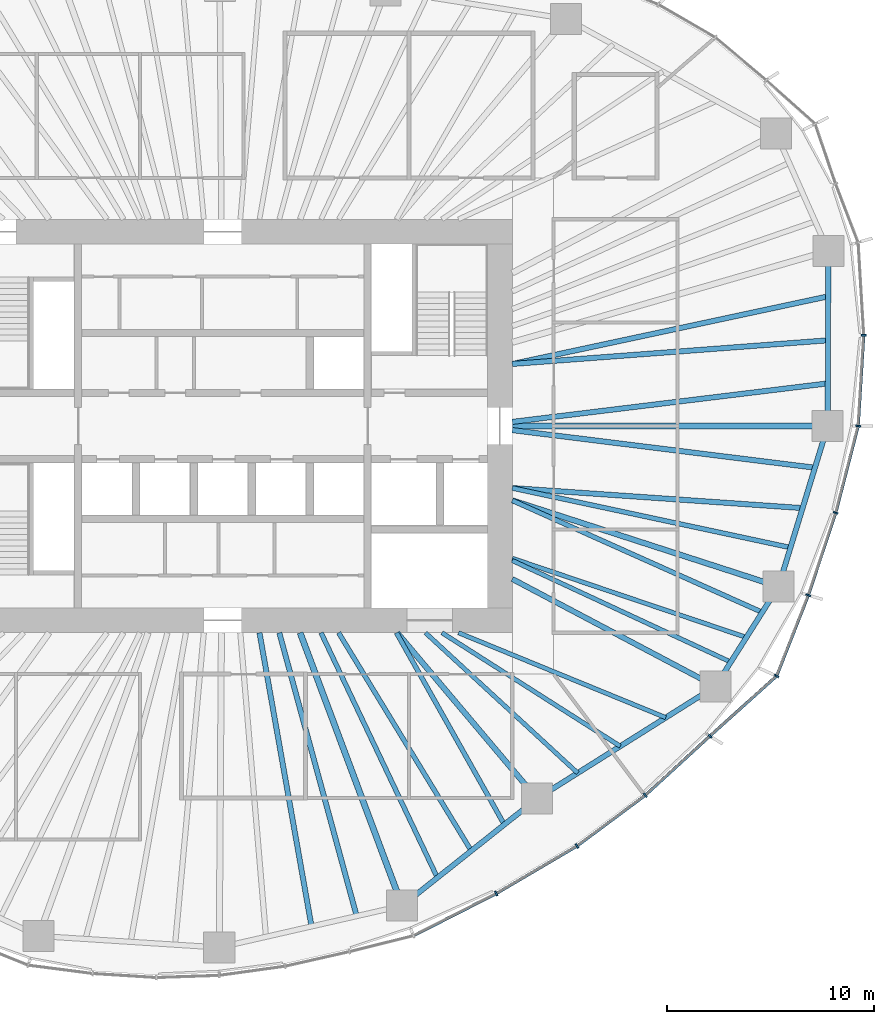
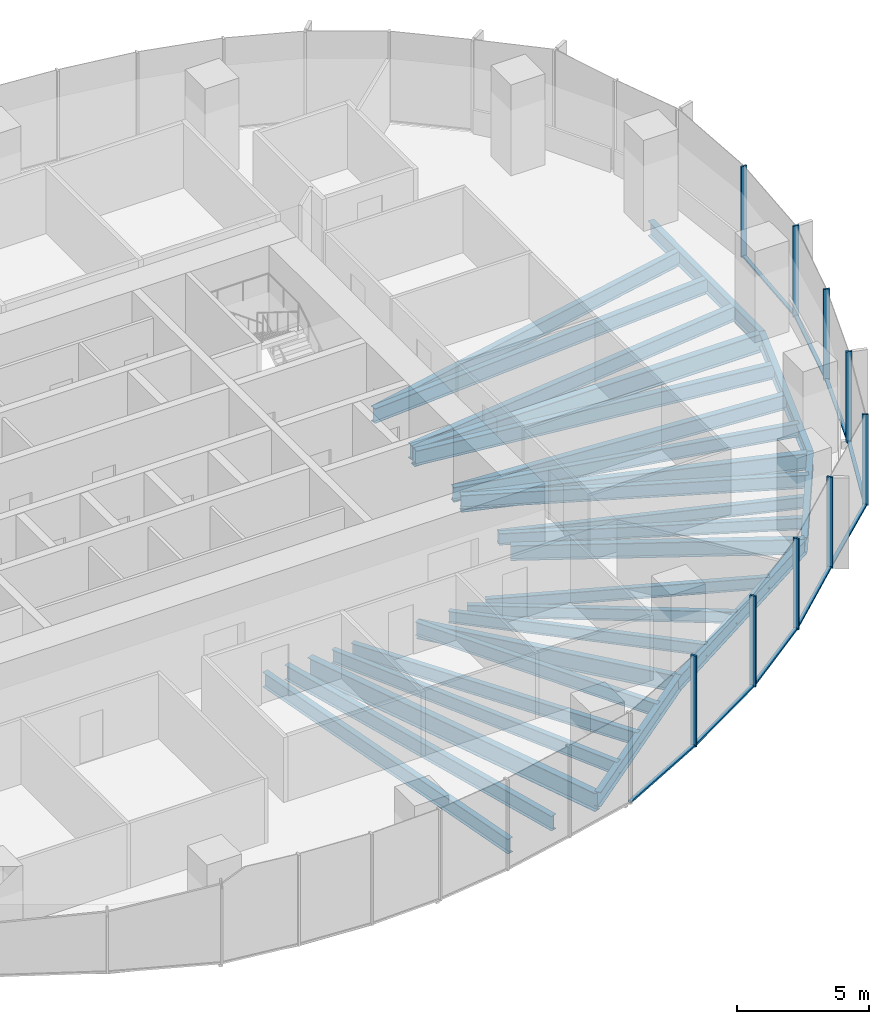
# One storey, part 4 of 18: 27 beams, 18 members, 5 elements without a shape of their own.
"""IFC4 building model written with IfcOpenShell, lengths in metres."""

from ifc_helpers import new_model, si_unit, direction, frame, origin, origin_2d, place, context, subcontext, project, spatial, rectangle, i_section, extrude, material, material_profile, profile_set, type_object, element, aggregate, save


model = new_model("IFC4")

# Units and contexts
model_context = context("Model", 3, precision=1e-05, world=origin(), true_north=direction((0.0, 1.0)))
body_context = subcontext(model_context, "Body", "Model", "MODEL_VIEW")
ifc_project = project(units=[si_unit("LENGTHUNIT", "METRE"), si_unit("AREAUNIT", "SQUARE_METRE"), si_unit("VOLUMEUNIT", "CUBIC_METRE"), si_unit("PLANEANGLEUNIT", "RADIAN"), si_unit("MASSUNIT", "GRAM", prefix="KILO")], contexts=[model_context])

# Site, building, storey
site_placement = place(None, origin())
site = spatial("IfcSite", under=ifc_project, at=site_placement, CompositionType="ELEMENT")
building_placement = place(site_placement, origin())
building = spatial("IfcBuilding", under=site, at=building_placement, Name="Ghaith Harvest Tower", CompositionType="ELEMENT")
storey_placement = place(building_placement, frame((0.0, 0.0, 130.199951171875)))
storey = spatial("IfcBuildingStorey", under=building, at=storey_placement, Name="L27", CompositionType="ELEMENT", Elevation=130.199951171875)

# Curtain wall, members
ifc_material_1 = material(Name="Black anodised aluminium and fritted glass", Category="aluminium")
curtain_wall_type = type_object("IfcCurtainWallType", Name="CW-L CURTAIN WALL", PredefinedType="NOTDEFINED", material=ifc_material_1)
curtain_wall_1_placement = place(storey_placement, origin())
curtain_wall_1 = element("IfcCurtainWall", 1, at=curtain_wall_1_placement, inside=storey, type_object=curtain_wall_type, Name="Curtain wall CW-L bay 01 L27", PredefinedType="NOTDEFINED")
ifc_material_2 = material(Name="Aluminium, black anodised", Category="aluminium")
ifc_material_profile_1 = material_profile(ifc_material_2, rectangle(XDim=0.080078125, YDim=0.239990234375, at=origin_2d()), Name="CW-L MULLION 80x240")
ifc_profile_set_1 = profile_set([ifc_material_profile_1], Name="Aluminium, black anodised")
member_type_1 = type_object("IfcMemberType", Name="CW-L MULLION 80x240", PredefinedType="MULLION", material=ifc_profile_set_1)
member_1_placement = place(storey_placement, frame((30.728759765625, 0.0, 0.0), z_axis=(0.0, 0.0, 1.0), x_axis=(0.155597142981, 0.987820595602, 0.0)))
member_1 = element("IfcMember", 2, at=member_1_placement, type_object=member_type_1, Name="CW-L mullion 1 bay 01 L27", PredefinedType="MULLION", context=body_context, shape_type="SweptSolid", body=[
    extrude(rectangle(XDim=0.080078125, YDim=0.239990234375, at=origin_2d()), origin(), (0.0, 0.0, 1.0), 4.199951171875),
])
member_2_placement = place(storey_placement, frame((30.998779296875, 4.389892578125, 0.0), z_axis=(0.0, 0.0, 1.0), x_axis=(-0.000162467394, 0.999999986802, 0.0)))
member_2 = element("IfcMember", 3, at=member_2_placement, type_object=member_type_1, Name="CW-L mullion 2 bay 01 L27", PredefinedType="MULLION", context=body_context, shape_type="SweptSolid", body=[
    extrude(rectangle(XDim=0.080078125, YDim=0.239990234375, at=origin_2d()), origin(), (0.0, 0.0, 1.0), 4.199951171875),
])

# Curtain wall, member
curtain_wall_2_placement = place(storey_placement, origin())
curtain_wall_2 = element("IfcCurtainWall", 4, at=curtain_wall_2_placement, inside=storey, type_object=curtain_wall_type, Name="Curtain wall CW-L bay 17 L27", PredefinedType="NOTDEFINED")
member_3_placement = place(storey_placement, frame((13.224365234375, -22.614013671875, 0.0), z_axis=(0.0, 0.0, 1.0), x_axis=(0.876898762173, 0.480675109507, 0.0)))
member_3 = element("IfcMember", 5, at=member_3_placement, type_object=member_type_1, Name="CW-L mullion 2 bay 17 L27", PredefinedType="MULLION", context=body_context, shape_type="SweptSolid", body=[
    extrude(rectangle(XDim=0.080078125, YDim=0.239990234375, at=origin_2d()), origin(), (0.0, 0.0, 1.0), 4.199951171875),
])

# Curtain wall, members
curtain_wall_3_placement = place(storey_placement, origin())
curtain_wall_3 = element("IfcCurtainWall", 6, at=curtain_wall_3_placement, inside=storey, type_object=curtain_wall_type, Name="Curtain wall CW-L bay 18 L27", PredefinedType="NOTDEFINED")
member_4_placement = place(storey_placement, frame((17.1318359375, -20.31591796875, 0.0), z_axis=(0.0, 0.0, 1.0), x_axis=(0.834887453241, 0.550420694035, 0.0)))
member_4 = element("IfcMember", 7, at=member_4_placement, type_object=member_type_1, Name="CW-L mullion 1 bay 18 L27", PredefinedType="MULLION", context=body_context, shape_type="SweptSolid", body=[
    extrude(rectangle(XDim=0.080078125, YDim=0.239990234375, at=origin_2d()), origin(), (0.0, 0.0, 1.0), 4.199951171875),
])
member_5_placement = place(storey_placement, frame((20.4296875, -17.86376953125, 0.0), z_axis=(0.0, 0.0, 1.0), x_axis=(0.770306399656, 0.637673937564, 0.0)))
member_5 = element("IfcMember", 8, at=member_5_placement, type_object=member_type_1, Name="CW-L mullion 2 bay 18 L27", PredefinedType="MULLION", context=body_context, shape_type="SweptSolid", body=[
    extrude(rectangle(XDim=0.080078125, YDim=0.239990234375, at=origin_2d()), origin(), (0.0, 0.0, 1.0), 4.199951171875),
])

curtain_wall_4_placement = place(storey_placement, origin())
curtain_wall_4 = element("IfcCurtainWall", 9, at=curtain_wall_4_placement, inside=storey, type_object=curtain_wall_type, Name="Curtain wall CW-L bay 19 L27", PredefinedType="NOTDEFINED")
member_6_placement = place(storey_placement, frame((23.560546875, -14.994140625, 0.0), z_axis=(0.0, 0.0, 1.0), x_axis=(0.740389054945, 0.672178582906, 0.0)))
member_6 = element("IfcMember", 10, at=member_6_placement, type_object=member_type_1, Name="CW-L mullion 1 bay 19 L27", PredefinedType="MULLION", context=body_context, shape_type="SweptSolid", body=[
    extrude(rectangle(XDim=0.080078125, YDim=0.239990234375, at=origin_2d()), origin(), (0.0, 0.0, 1.0), 4.199951171875),
])
member_7_placement = place(storey_placement, frame((26.786376953125, -12.0927734375, 0.0), z_axis=(0.0, 0.0, 1.0), x_axis=(0.572853476908, 0.819657790785, 0.0)))
member_7 = element("IfcMember", 11, at=member_7_placement, type_object=member_type_1, Name="CW-L mullion 2 bay 19 L27", PredefinedType="MULLION", context=body_context, shape_type="SweptSolid", body=[
    extrude(rectangle(XDim=0.080078125, YDim=0.239990234375, at=origin_2d()), origin(), (0.0, 0.0, 1.0), 4.199951171875),
])

curtain_wall_5_placement = place(storey_placement, origin())
curtain_wall_5 = element("IfcCurtainWall", 12, at=curtain_wall_5_placement, inside=storey, type_object=curtain_wall_type, Name="Curtain wall CW-L bay 20 L27", PredefinedType="NOTDEFINED")
member_8_placement = place(storey_placement, frame((28.319580078125, -8.184814453125, 0.0), z_axis=(0.0, 0.0, 1.0), x_axis=(0.34057402484, 0.94021770543, 0.0)))
member_8 = element("IfcMember", 13, at=member_8_placement, type_object=member_type_1, Name="CW-L mullion 1 bay 20 L27", PredefinedType="MULLION", context=body_context, shape_type="SweptSolid", body=[
    extrude(rectangle(XDim=0.080078125, YDim=0.239990234375, at=origin_2d()), origin(), (0.0, 0.0, 1.0), 4.199951171875),
])
member_9_placement = place(storey_placement, frame((29.64599609375, -4.1982421875, 0.0), z_axis=(0.0, 0.0, 1.0), x_axis=(0.282375140161, 0.959304060358, 0.0)))
member_9 = element("IfcMember", 14, at=member_9_placement, type_object=member_type_1, Name="CW-L mullion 2 bay 20 L27", PredefinedType="MULLION", context=body_context, shape_type="SweptSolid", body=[
    extrude(rectangle(XDim=0.080078125, YDim=0.239990234375, at=origin_2d()), origin(), (0.0, 0.0, 1.0), 4.199951171875),
])

# Member
ifc_material_3 = material(Name="Aluminium, black anodised", Category="aluminium")
ifc_material_profile_2 = material_profile(ifc_material_3, rectangle(XDim=0.14990234375, YDim=0.080078125, at=origin_2d()), Name="CW-L TRANSOM 150x80")
ifc_profile_set_2 = profile_set([ifc_material_profile_2], Name="Aluminium, black anodised")
member_type_2 = type_object("IfcMemberType", Name="CW-L TRANSOM 150x80", PredefinedType="USERDEFINED", material=ifc_profile_set_2)
member_10_placement = place(storey_placement, frame((30.731201171875, 0.0400390625, 0.0400390625), z_axis=(0.061403204251, 0.99811304295, 0.0), x_axis=(-0.99811304295, 0.061403204251, 0.0)))
member_10 = element("IfcMember", 15, at=member_10_placement, type_object=member_type_2, Name="CW-L transom 1 bay 01 L27", ObjectType="TRANSOM", PredefinedType="USERDEFINED", context=body_context, shape_type="SweptSolid", body=[
    extrude(rectangle(XDim=0.14990234375, YDim=0.080078125, at=origin_2d()), origin(), (0.0, 0.0, 1.0), 4.31787109375),
])

aggregate(curtain_wall_1, [member_1, member_10, member_2])

member_11_placement = place(storey_placement, frame((9.25244140625, -24.636474609375, 0.0400390625), z_axis=(0.891120044719, 0.453767634258, 0.0), x_axis=(-0.453767634258, 0.891120044719, 0.0)))
member_11 = element("IfcMember", 16, at=member_11_placement, type_object=member_type_2, Name="CW-L transom 1 bay 17 L27", ObjectType="TRANSOM", PredefinedType="USERDEFINED", context=body_context, shape_type="SweptSolid", body=[
    extrude(rectangle(XDim=0.14990234375, YDim=0.080078125, at=origin_2d()), origin(), (0.0, 0.0, 1.0), 4.417236328125),
])

member_12_placement = place(storey_placement, frame((13.259033203125, -22.59375, 0.0400390625), z_axis=(0.86196381091, 0.506969810424, 0.0), x_axis=(-0.506969810424, 0.86196381091, 0.0)))
member_12 = element("IfcMember", 17, at=member_12_placement, type_object=member_type_2, Name="CW-L transom 2 bay 17 L27", ObjectType="TRANSOM", PredefinedType="USERDEFINED", context=body_context, shape_type="SweptSolid", body=[
    extrude(rectangle(XDim=0.14990234375, YDim=0.080078125, at=origin_2d()), origin(), (0.0, 0.0, 1.0), 4.453125),
])

aggregate(curtain_wall_2, [member_11, member_3, member_12])

member_13_placement = place(storey_placement, frame((17.1640625, -20.2919921875, 0.0400390625), z_axis=(0.802465316609, 0.59669876457, 0.0), x_axis=(-0.59669876457, 0.802465316609, 0.0)))
member_13 = element("IfcMember", 18, at=member_13_placement, type_object=member_type_2, Name="CW-L transom 1 bay 18 L27", ObjectType="TRANSOM", PredefinedType="USERDEFINED", context=body_context, shape_type="SweptSolid", body=[
    extrude(rectangle(XDim=0.14990234375, YDim=0.080078125, at=origin_2d()), origin(), (0.0, 0.0, 1.0), 4.029296875),
])

member_14_placement = place(storey_placement, frame((20.459228515625, -17.836669921875, 0.0400390625), z_axis=(0.737197916434, 0.675676869521, 0.0), x_axis=(-0.675676869521, 0.737197916434, 0.0)))
member_14 = element("IfcMember", 19, at=member_14_placement, type_object=member_type_2, Name="CW-L transom 2 bay 18 L27", ObjectType="TRANSOM", PredefinedType="USERDEFINED", context=body_context, shape_type="SweptSolid", body=[
    extrude(rectangle(XDim=0.14990234375, YDim=0.080078125, at=origin_2d()), origin(), (0.0, 0.0, 1.0), 4.166748046875),
])

aggregate(curtain_wall_3, [member_4, member_13, member_5, member_14])

member_15_placement = place(storey_placement, frame((23.59033203125, -14.967529296875, 0.0400390625), z_axis=(0.74346800111, 0.668771509056, 0.0), x_axis=(-0.668771509056, 0.74346800111, 0.0)))
member_15 = element("IfcMember", 20, at=member_15_placement, type_object=member_type_2, Name="CW-L transom 1 bay 19 L27", ObjectType="TRANSOM", PredefinedType="USERDEFINED", context=body_context, shape_type="SweptSolid", body=[
    extrude(rectangle(XDim=0.14990234375, YDim=0.080078125, at=origin_2d()), origin(), (0.0, 0.0, 1.0), 4.2587890625),
])

member_16_placement = place(storey_placement, frame((26.801025390625, -12.055419921875, 0.0400390625), z_axis=(0.365228588652, 0.930917868575, 0.0), x_axis=(-0.930917868575, 0.365228588652, 0.0)))
member_16 = element("IfcMember", 21, at=member_16_placement, type_object=member_type_2, Name="CW-L transom 2 bay 19 L27", ObjectType="TRANSOM", PredefinedType="USERDEFINED", context=body_context, shape_type="SweptSolid", body=[
    extrude(rectangle(XDim=0.14990234375, YDim=0.080078125, at=origin_2d()), origin(), (0.0, 0.0, 1.0), 4.11767578125),
])

aggregate(curtain_wall_4, [member_6, member_15, member_7, member_16])

member_17_placement = place(storey_placement, frame((28.33203125, -8.14697265625, 0.0400390625), z_axis=(0.315712391444, 0.948854934059, 0.0), x_axis=(-0.948854934059, 0.315712391444, 0.0)))
member_17 = element("IfcMember", 22, at=member_17_placement, type_object=member_type_2, Name="CW-L transom 1 bay 20 L27", ObjectType="TRANSOM", PredefinedType="USERDEFINED", context=body_context, shape_type="SweptSolid", body=[
    extrude(rectangle(XDim=0.14990234375, YDim=0.080078125, at=origin_2d()), origin(), (0.0, 0.0, 1.0), 4.12158203125),
])

member_18_placement = place(storey_placement, frame((29.656005859375, -4.159423828125, 0.0400390625), z_axis=(0.249737470584, 0.968313583395, 0.0), x_axis=(-0.968313583395, 0.249737470584, 0.0)))
member_18 = element("IfcMember", 23, at=member_18_placement, type_object=member_type_2, Name="CW-L transom 2 bay 20 L27", ObjectType="TRANSOM", PredefinedType="USERDEFINED", context=body_context, shape_type="SweptSolid", body=[
    extrude(rectangle(XDim=0.14990234375, YDim=0.080078125, at=origin_2d()), origin(), (0.0, 0.0, 1.0), 4.25537109375),
])

aggregate(curtain_wall_5, [member_8, member_17, member_9, member_18])

# Beams
ifc_material_4 = material(Name="Steel ASTM A992 Grade 50", Category="steel")
ifc_material_profile_3 = material_profile(ifc_material_4, i_section(OverallWidth=0.25390625, OverallDepth=0.68408203125, WebThickness=0.012451171875, FlangeThickness=0.018798828125, at=origin_2d()), Name="W690X140")
ifc_profile_set_3 = profile_set([ifc_material_profile_3], Name="Steel ASTM A992 Grade 50")
beam_type_1 = type_object("IfcBeamType", Name="E690-140 W690X140", PredefinedType="SPANDREL", material=ifc_profile_set_3)
beam_1_placement = place(storey_placement, frame((29.259033203125, 0.0, -0.511962890625), z_axis=(0.003172847394, 0.999994966507, 0.0), x_axis=(-0.999994966507, 0.003172847394, 0.0)))
element("IfcBeam", 24, at=beam_1_placement, inside=storey, type_object=beam_type_1, Name="Edge beam E01 L27", PredefinedType="SPANDREL", context=body_context, shape_type="SweptSolid", body=[
    extrude(i_section(OverallWidth=0.25390625, OverallDepth=0.68408203125, WebThickness=0.012451171875, FlangeThickness=0.018798828125, at=origin_2d()), origin(), (0.0, 0.0, 1.0), 8.464111328125),
])
beam_2_placement = place(storey_placement, frame((8.674072265625, -23.202880859375, -0.511962890625), z_axis=(0.783159540917, 0.621820821033, 0.0), x_axis=(-0.621820821033, 0.783159540917, 0.0)))
element("IfcBeam", 25, at=beam_2_placement, inside=storey, type_object=beam_type_1, Name="Edge beam E17 L27", PredefinedType="SPANDREL", context=body_context, shape_type="SweptSolid", body=[
    extrude(i_section(OverallWidth=0.25390625, OverallDepth=0.68408203125, WebThickness=0.012451171875, FlangeThickness=0.018798828125, at=origin_2d()), origin(), (0.0, 0.0, 1.0), 8.330322265625),
])
beam_3_placement = place(storey_placement, frame((15.197998046875, -18.02294921875, -0.511962890625), z_axis=(0.846385185363, 0.532571232793, 0.0), x_axis=(-0.532571232793, 0.846385185363, 0.0)))
element("IfcBeam", 26, at=beam_3_placement, inside=storey, type_object=beam_type_1, Name="Edge beam E18 L27", PredefinedType="SPANDREL", context=body_context, shape_type="SweptSolid", body=[
    extrude(i_section(OverallWidth=0.25390625, OverallDepth=0.68408203125, WebThickness=0.012451171875, FlangeThickness=0.018798828125, at=origin_2d()), origin(), (0.0, 0.0, 1.0), 10.19384765625),
])
beam_4_placement = place(storey_placement, frame((23.825927734375, -12.593994140625, -0.511962890625), z_axis=(0.534499624093, 0.845168712059, 0.0), x_axis=(-0.845168712059, 0.534499624093, 0.0)))
element("IfcBeam", 27, at=beam_4_placement, inside=storey, type_object=beam_type_1, Name="Edge beam E19 L27", PredefinedType="SPANDREL", context=body_context, shape_type="SweptSolid", body=[
    extrude(i_section(OverallWidth=0.25390625, OverallDepth=0.68408203125, WebThickness=0.012451171875, FlangeThickness=0.018798828125, at=origin_2d()), origin(), (0.0, 0.0, 1.0), 5.7099609375),
])
beam_5_placement = place(storey_placement, frame((26.8779296875, -7.76806640625, -0.511962890625), z_axis=(0.293065809375, 0.956092271371, 0.0), x_axis=(-0.956092271371, 0.293065809375, 0.0)))
element("IfcBeam", 28, at=beam_5_placement, inside=storey, type_object=beam_type_1, Name="Edge beam E20 L27", PredefinedType="SPANDREL", context=body_context, shape_type="SweptSolid", body=[
    extrude(i_section(OverallWidth=0.25390625, OverallDepth=0.68408203125, WebThickness=0.012451171875, FlangeThickness=0.018798828125, at=origin_2d()), origin(), (0.0, 0.0, 1.0), 8.124755859375),
])
ifc_material_5 = material(Name="Steel ASTM A992 Grade 50", Category="steel")
ifc_material_profile_4 = material_profile(ifc_material_5, i_section(OverallWidth=0.256103515625, OverallDepth=0.693115234375, WebThickness=0.014404296875, FlangeThickness=0.023681640625, at=origin_2d()), Name="W690X170")
ifc_profile_set_4 = profile_set([ifc_material_profile_4], Name="Steel ASTM A992 Grade 50")
beam_type_2 = type_object("IfcBeamType", Name="G690-170 W690X170", PredefinedType="BEAM", material=ifc_profile_set_4)
beam_6_placement = place(storey_placement, frame((14.0, -7.39990234375, -0.516357421875), z_axis=(0.884080549082, -0.467334551189, 0.0), x_axis=(0.467334551189, 0.884080549082, 0.0)))
element("IfcBeam", 29, at=beam_6_placement, inside=storey, type_object=beam_type_2, Name="Radial girder G19 L27", PredefinedType="BEAM", context=body_context, shape_type="SweptSolid", body=[
    extrude(i_section(OverallWidth=0.256103515625, OverallDepth=0.693115234375, WebThickness=0.014404296875, FlangeThickness=0.023681640625, at=origin_2d()), origin(), (0.0, 0.0, 1.0), 11.1142578125),
])
ifc_material_6 = material(Name="Steel ASTM A992 Grade 50", Category="steel")
ifc_material_profile_5 = material_profile(ifc_material_6, i_section(OverallWidth=0.26806640625, OverallDepth=0.77001953125, WebThickness=0.015625, FlangeThickness=0.025390625, at=origin_2d()), Name="W760X196")
ifc_profile_set_5 = profile_set([ifc_material_profile_5], Name="Steel ASTM A992 Grade 50")
beam_type_3 = type_object("IfcBeamType", Name="G760-196 W760X196", PredefinedType="BEAM", material=ifc_profile_set_5)
beam_7_placement = place(storey_placement, frame((8.4326171875, -10.0, -0.554931640625), z_axis=(0.644649240595, -0.764478486682, 0.0), x_axis=(0.764478486682, 0.644649240595, 0.0)))
element("IfcBeam", 30, at=beam_7_placement, inside=storey, type_object=beam_type_3, Name="Radial girder G18 L27", PredefinedType="BEAM", context=body_context, shape_type="SweptSolid", body=[
    extrude(i_section(OverallWidth=0.26806640625, OverallDepth=0.77001953125, WebThickness=0.015625, FlangeThickness=0.025390625, at=origin_2d()), origin(), (0.0, 0.0, 1.0), 10.49462890625),
])
beam_8_placement = place(storey_placement, frame((14.0, -3.60009765625, -0.554931640625), z_axis=(0.951410331565, -0.307925934262, 0.0), x_axis=(0.307925934262, 0.951410331565, 0.0)))
element("IfcBeam", 31, at=beam_8_placement, inside=storey, type_object=beam_type_3, Name="Radial girder G20 L27", PredefinedType="BEAM", context=body_context, shape_type="SweptSolid", body=[
    extrude(i_section(OverallWidth=0.26806640625, OverallDepth=0.77001953125, WebThickness=0.015625, FlangeThickness=0.025390625, at=origin_2d()), origin(), (0.0, 0.0, 1.0), 13.53564453125),
])
ifc_material_7 = material(Name="Steel ASTM A992 Grade 50", Category="steel")
ifc_material_profile_6 = material_profile(ifc_material_7, i_section(OverallWidth=0.2939453125, OverallDepth=0.85107421875, WebThickness=0.01611328125, FlangeThickness=0.02685546875, at=origin_2d()), Name="W840X226")
ifc_profile_set_6 = profile_set([ifc_material_profile_6], Name="Steel ASTM A992 Grade 50")
beam_type_4 = type_object("IfcBeamType", Name="G840-226 W840X226", PredefinedType="BEAM", material=ifc_profile_set_6)
beam_9_placement = place(storey_placement, frame((14.0, 0.0, -0.595458984375), z_axis=(1.0, 0.0, 0.0), x_axis=(0.0, 1.0, 0.0)))
element("IfcBeam", 32, at=beam_9_placement, inside=storey, type_object=beam_type_4, Name="Radial girder G01 L27", PredefinedType="BEAM", context=body_context, shape_type="SweptSolid", body=[
    extrude(i_section(OverallWidth=0.2939453125, OverallDepth=0.85107421875, WebThickness=0.01611328125, FlangeThickness=0.02685546875, at=origin_2d()), origin(), (0.0, 0.0, 1.0), 15.259033203125),
])
beam_10_placement = place(storey_placement, frame((3.73828125, -10.0, -0.595458984375), z_axis=(0.350172283717, -0.936685310932, 0.0), x_axis=(0.936685310932, 0.350172283717, 0.0)))
element("IfcBeam", 33, at=beam_10_placement, inside=storey, type_object=beam_type_4, Name="Radial girder G17 L27", PredefinedType="BEAM", context=body_context, shape_type="SweptSolid", body=[
    extrude(i_section(OverallWidth=0.2939453125, OverallDepth=0.85107421875, WebThickness=0.01611328125, FlangeThickness=0.02685546875, at=origin_2d()), origin(), (0.0, 0.0, 1.0), 14.09521484375),
])
ifc_material_8 = material(Name="Steel ASTM A992 Grade 50", Category="steel")
ifc_material_profile_7 = material_profile(ifc_material_8, i_section(OverallWidth=0.2109375, OverallDepth=0.5390625, WebThickness=0.01171875, FlangeThickness=0.018798828125, at=origin_2d()), Name="W530X109")
ifc_profile_set_7 = profile_set([ifc_material_profile_7], Name="Steel ASTM A992 Grade 50")
beam_type_5 = type_object("IfcBeamType", Name="J530-109 W530X109", PredefinedType="JOIST", material=ifc_profile_set_7)
beam_11_placement = place(storey_placement, frame((9.800048828125, -10.0, -0.439453125), z_axis=(0.735441512033, -0.677588210035, 0.0), x_axis=(0.677588210035, 0.735441512033, 0.0)))
element("IfcBeam", 34, at=beam_11_placement, inside=storey, type_object=beam_type_5, Name="Joist J18.1 L27", PredefinedType="JOIST", context=body_context, shape_type="SweptSolid", body=[
    extrude(i_section(OverallWidth=0.2109375, OverallDepth=0.5390625, WebThickness=0.01171875, FlangeThickness=0.018798828125, at=origin_2d()), origin(), (0.0, 0.0, 1.0), 10.01416015625),
])
beam_12_placement = place(storey_placement, frame((10.60009765625, -10.0, -0.439453125), z_axis=(0.843584777848, -0.536996017288, 0.0), x_axis=(0.536996017288, 0.843584777848, 0.0)))
element("IfcBeam", 35, at=beam_12_placement, inside=storey, type_object=beam_type_5, Name="Joist J18.2 L27", PredefinedType="JOIST", context=body_context, shape_type="SweptSolid", body=[
    extrude(i_section(OverallWidth=0.2109375, OverallDepth=0.5390625, WebThickness=0.01171875, FlangeThickness=0.018798828125, at=origin_2d()), origin(), (0.0, 0.0, 1.0), 10.22314453125),
])
beam_13_placement = place(storey_placement, frame((11.39990234375, -10.0, -0.439453125), z_axis=(0.925406878607, -0.378975077053, 0.0), x_axis=(0.378975077053, 0.925406878607, 0.0)))
element("IfcBeam", 36, at=beam_13_placement, inside=storey, type_object=beam_type_5, Name="Joist J18.3 L27", PredefinedType="JOIST", context=body_context, shape_type="SweptSolid", body=[
    extrude(i_section(OverallWidth=0.2109375, OverallDepth=0.5390625, WebThickness=0.01171875, FlangeThickness=0.018798828125, at=origin_2d()), origin(), (0.0, 0.0, 1.0), 10.83251953125),
])
beam_14_placement = place(storey_placement, frame((14.0, -6.506103515625, -0.439453125), z_axis=(0.906863188232, -0.421425150922, 0.0), x_axis=(0.421425150922, 0.906863188232, 0.0)))
element("IfcBeam", 37, at=beam_14_placement, inside=storey, type_object=beam_type_5, Name="Joist J19.1 L27", PredefinedType="JOIST", context=body_context, shape_type="SweptSolid", body=[
    extrude(i_section(OverallWidth=0.2109375, OverallDepth=0.5390625, WebThickness=0.01171875, FlangeThickness=0.018798828125, at=origin_2d()), origin(), (0.0, 0.0, 1.0), 11.6552734375),
])
beam_15_placement = place(storey_placement, frame((14.0, -6.39990234375, -0.439453125), z_axis=(0.947372072272, -0.320134591508, 0.0), x_axis=(0.320134591508, 0.947372072272, 0.0)))
element("IfcBeam", 38, at=beam_15_placement, inside=storey, type_object=beam_type_5, Name="Joist J19.2 L27", PredefinedType="JOIST", context=body_context, shape_type="SweptSolid", body=[
    extrude(i_section(OverallWidth=0.2109375, OverallDepth=0.5390625, WebThickness=0.01171875, FlangeThickness=0.018798828125, at=origin_2d()), origin(), (0.0, 0.0, 1.0), 11.95263671875),
])
ifc_material_9 = material(Name="Steel ASTM A992 Grade 50", Category="steel")
ifc_material_profile_8 = material_profile(ifc_material_9, i_section(OverallWidth=0.22900390625, OverallDepth=0.612060546875, WebThickness=0.011962890625, FlangeThickness=0.01953125, at=origin_2d()), Name="W610X125")
ifc_profile_set_8 = profile_set([ifc_material_profile_8], Name="Steel ASTM A992 Grade 50")
beam_type_6 = type_object("IfcBeamType", Name="J610-125 W610X125", PredefinedType="JOIST", material=ifc_profile_set_8)
beam_16_placement = place(storey_placement, frame((4.75, -10.0, -0.475830078125), z_axis=(0.429062888327, -0.903274619294, 0.0), x_axis=(0.903274619294, 0.429062888327, 0.0)))
element("IfcBeam", 39, at=beam_16_placement, inside=storey, type_object=beam_type_6, Name="Joist J17.1 L27", PredefinedType="JOIST", context=body_context, shape_type="SweptSolid", body=[
    extrude(i_section(OverallWidth=0.22900390625, OverallDepth=0.612060546875, WebThickness=0.011962890625, FlangeThickness=0.01953125, at=origin_2d()), origin(), (0.0, 0.0, 1.0), 13.118408203125),
])
beam_17_placement = place(storey_placement, frame((5.60009765625, -10.0, -0.475830078125), z_axis=(0.51969412955, -0.854352393167, 0.0), x_axis=(0.854352393167, 0.51969412955, 0.0)))
element("IfcBeam", 40, at=beam_17_placement, inside=storey, type_object=beam_type_6, Name="Joist J17.2 L27", PredefinedType="JOIST", context=body_context, shape_type="SweptSolid", body=[
    extrude(i_section(OverallWidth=0.22900390625, OverallDepth=0.612060546875, WebThickness=0.011962890625, FlangeThickness=0.01953125, at=origin_2d()), origin(), (0.0, 0.0, 1.0), 12.34716796875),
])
beam_18_placement = place(storey_placement, frame((8.39990234375, -10.0, -0.475830078125), z_axis=(0.489936713337, -0.871758003648, 0.0), x_axis=(0.871758003648, 0.489936713337, 0.0)))
element("IfcBeam", 41, at=beam_18_placement, inside=storey, type_object=beam_type_6, Name="Joist J17.3 L27", PredefinedType="JOIST", context=body_context, shape_type="SweptSolid", body=[
    extrude(i_section(OverallWidth=0.22900390625, OverallDepth=0.612060546875, WebThickness=0.011962890625, FlangeThickness=0.01953125, at=origin_2d()), origin(), (0.0, 0.0, 1.0), 10.64501953125),
])
beam_19_placement = place(storey_placement, frame((14.0, -3.60009765625, -0.475830078125), z_axis=(0.912738327266, -0.408544668231, 0.0), x_axis=(0.408544668231, 0.912738327266, 0.0)))
element("IfcBeam", 42, at=beam_19_placement, inside=storey, type_object=beam_type_6, Name="Joist J19.3 L27", PredefinedType="JOIST", context=body_context, shape_type="SweptSolid", body=[
    extrude(i_section(OverallWidth=0.22900390625, OverallDepth=0.612060546875, WebThickness=0.011962890625, FlangeThickness=0.01953125, at=origin_2d()), origin(), (0.0, 0.0, 1.0), 13.247314453125),
])
beam_20_placement = place(storey_placement, frame((14.0, -3.0, -0.475830078125), z_axis=(0.97783433664, -0.209380061343, 0.0), x_axis=(0.209380061343, 0.97783433664, 0.0)))
element("IfcBeam", 43, at=beam_20_placement, inside=storey, type_object=beam_type_6, Name="Joist J20.1 L27", PredefinedType="JOIST", context=body_context, shape_type="SweptSolid", body=[
    extrude(i_section(OverallWidth=0.22900390625, OverallDepth=0.612060546875, WebThickness=0.011962890625, FlangeThickness=0.01953125, at=origin_2d()), origin(), (0.0, 0.0, 1.0), 13.76123046875),
])
ifc_material_10 = material(Name="Steel ASTM A992 Grade 50", Category="steel")
ifc_material_profile_9 = material_profile(ifc_material_10, i_section(OverallWidth=0.25390625, OverallDepth=0.68408203125, WebThickness=0.012451171875, FlangeThickness=0.018798828125, at=origin_2d()), Name="W690X140")
ifc_profile_set_9 = profile_set([ifc_material_profile_9], Name="Steel ASTM A992 Grade 50")
beam_type_7 = type_object("IfcBeamType", Name="J690-140 W690X140", PredefinedType="JOIST", material=ifc_profile_set_9)
beam_21_placement = place(storey_placement, frame((14.0, 0.199951171875, -0.511962890625), z_axis=(0.992642759881, 0.121079937462, 0.0), x_axis=(-0.121079937462, 0.992642759881, 0.0)))
element("IfcBeam", 44, at=beam_21_placement, inside=storey, type_object=beam_type_7, Name="Joist J01.1 L27", PredefinedType="JOIST", context=body_context, shape_type="SweptSolid", body=[
    extrude(i_section(OverallWidth=0.25390625, OverallDepth=0.68408203125, WebThickness=0.012451171875, FlangeThickness=0.018798828125, at=origin_2d()), origin(), (0.0, 0.0, 1.0), 15.378662109375),
])
beam_22_placement = place(storey_placement, frame((14.0, 3.0, -0.511962890625), z_axis=(0.997200052902, 0.074780040735, 0.0), x_axis=(-0.074780040735, 0.997200052902, 0.0)))
element("IfcBeam", 45, at=beam_22_placement, inside=storey, type_object=beam_type_7, Name="Joist J01.2 L27", PredefinedType="JOIST", context=body_context, shape_type="SweptSolid", body=[
    extrude(i_section(OverallWidth=0.25390625, OverallDepth=0.68408203125, WebThickness=0.012451171875, FlangeThickness=0.018798828125, at=origin_2d()), origin(), (0.0, 0.0, 1.0), 15.315185546875),
])
beam_23_placement = place(storey_placement, frame((14.0, 3.0, -0.511962890625), z_axis=(0.977833271545, 0.209385035425, 0.0), x_axis=(-0.209385035425, 0.977833271545, 0.0)))
element("IfcBeam", 46, at=beam_23_placement, inside=storey, type_object=beam_type_7, Name="Joist J01.3 L27", PredefinedType="JOIST", context=body_context, shape_type="SweptSolid", body=[
    extrude(i_section(OverallWidth=0.25390625, OverallDepth=0.68408203125, WebThickness=0.012451171875, FlangeThickness=0.018798828125, at=origin_2d()), origin(), (0.0, 0.0, 1.0), 15.62548828125),
])
beam_24_placement = place(storey_placement, frame((1.772705078125, -10.0, -0.511962890625), z_axis=(0.174552818486, -0.98464781194, 0.0), x_axis=(0.98464781194, 0.174552818486, 0.0)))
element("IfcBeam", 47, at=beam_24_placement, inside=storey, type_object=beam_type_7, Name="Joist J16.2 L27", PredefinedType="JOIST", context=body_context, shape_type="SweptSolid", body=[
    extrude(i_section(OverallWidth=0.25390625, OverallDepth=0.68408203125, WebThickness=0.012451171875, FlangeThickness=0.018798828125, at=origin_2d()), origin(), (0.0, 0.0, 1.0), 14.42578125),
])
beam_25_placement = place(storey_placement, frame((2.73095703125, -10.0, -0.511962890625), z_axis=(0.263463446032, -0.964669379946, 0.0), x_axis=(0.964669379946, 0.263463446032, 0.0)))
element("IfcBeam", 48, at=beam_25_placement, inside=storey, type_object=beam_type_7, Name="Joist J16.3 L27", PredefinedType="JOIST", context=body_context, shape_type="SweptSolid", body=[
    extrude(i_section(OverallWidth=0.25390625, OverallDepth=0.68408203125, WebThickness=0.012451171875, FlangeThickness=0.018798828125, at=origin_2d()), origin(), (0.0, 0.0, 1.0), 14.20751953125),
])
beam_26_placement = place(storey_placement, frame((14.0, -3.0, -0.511962890625), z_axis=(0.997616678907, -0.068999724397, 0.0), x_axis=(0.068999724397, 0.997616678907, 0.0)))
element("IfcBeam", 49, at=beam_26_placement, inside=storey, type_object=beam_type_7, Name="Joist J20.2 L27", PredefinedType="JOIST", context=body_context, shape_type="SweptSolid", body=[
    extrude(i_section(OverallWidth=0.25390625, OverallDepth=0.68408203125, WebThickness=0.012451171875, FlangeThickness=0.018798828125, at=origin_2d()), origin(), (0.0, 0.0, 1.0), 14.0751953125),
])
beam_27_placement = place(storey_placement, frame((14.0, -0.199951171875, -0.511962890625), z_axis=(0.992379127816, -0.123222021874, 0.0), x_axis=(0.123222021874, 0.992379127816, 0.0)))
element("IfcBeam", 50, at=beam_27_placement, inside=storey, type_object=beam_type_7, Name="Joist J20.3 L27", PredefinedType="JOIST", context=body_context, shape_type="SweptSolid", body=[
    extrude(i_section(OverallWidth=0.25390625, OverallDepth=0.68408203125, WebThickness=0.012451171875, FlangeThickness=0.018798828125, at=origin_2d()), origin(), (0.0, 0.0, 1.0), 14.7529296875),
])

save(model, "model.ifc")
